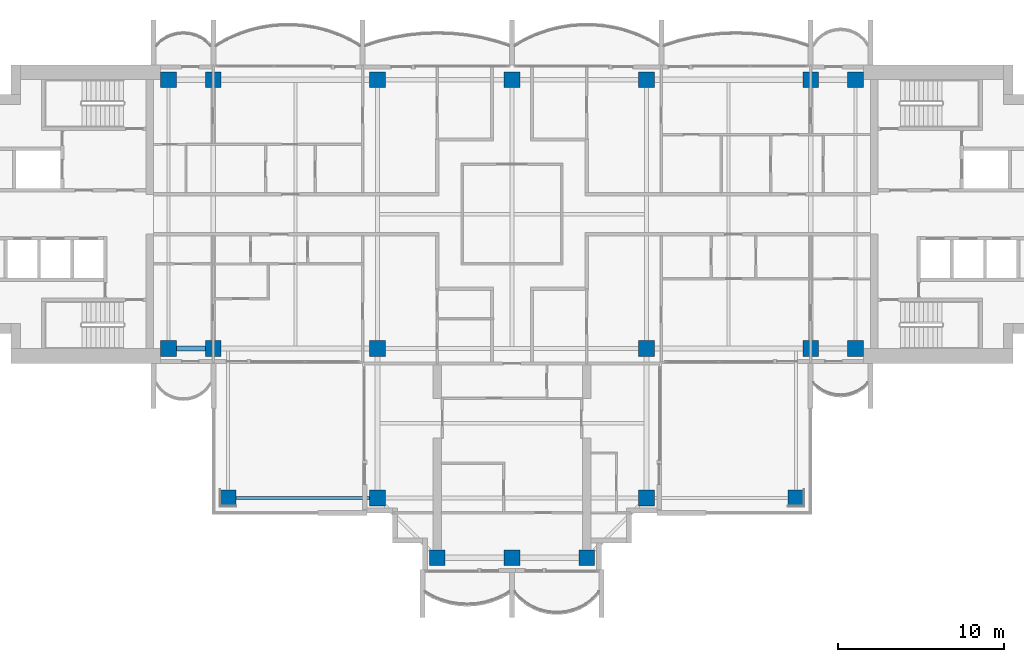
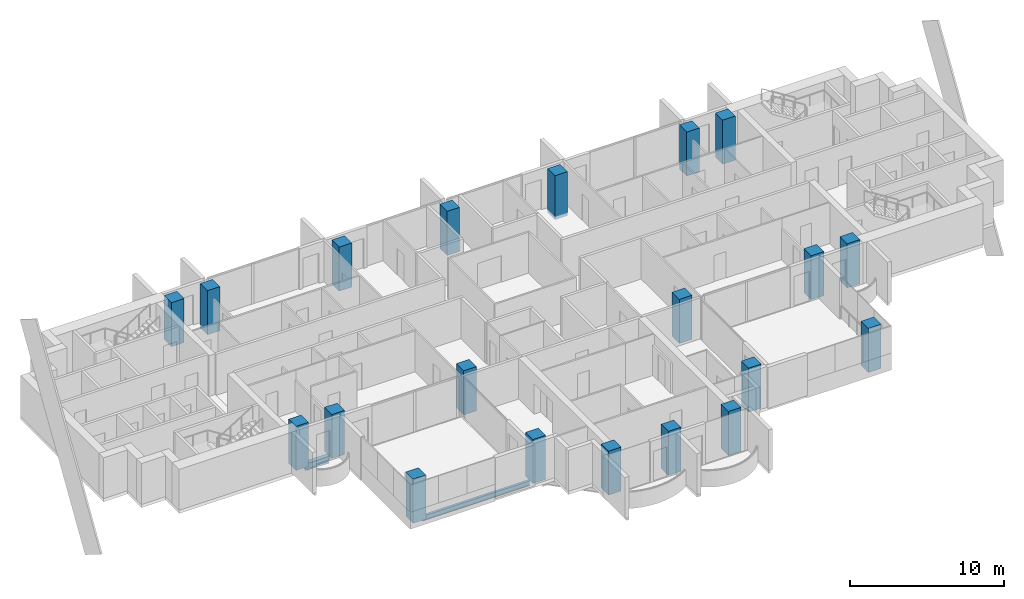
# One storey, part 1 of 17: 20 columns, 2 beams.
"""IFC4 building model written with IfcOpenShell, lengths in metres."""

from ifc_helpers import new_model, si_unit, direction, frame, origin, origin_2d, place, context, subcontext, project, spatial, rectangle, i_section, extrude, material, material_profile, profile_set, type_object, element, save


model = new_model("IFC4")

# Units and contexts
model_context = context("Model", 3, precision=1e-05, world=origin(), true_north=direction((0.0, 1.0)))
body_context = subcontext(model_context, "Body", "Model", "MODEL_VIEW")
ifc_project = project(units=[si_unit("LENGTHUNIT", "METRE"), si_unit("AREAUNIT", "SQUARE_METRE"), si_unit("VOLUMEUNIT", "CUBIC_METRE"), si_unit("PLANEANGLEUNIT", "RADIAN"), si_unit("MASSUNIT", "GRAM", prefix="KILO")], contexts=[model_context])

# Site, building, storey
site_placement = place(None, origin())
site = spatial("IfcSite", under=ifc_project, at=site_placement, CompositionType="ELEMENT")
building_placement = place(site_placement, origin())
building = spatial("IfcBuilding", under=site, at=building_placement, Name="Perihelion Cross Residences", CompositionType="ELEMENT")
storey_placement = place(building_placement, frame((0.0, 0.0, 205.10009765625)))
storey = spatial("IfcBuildingStorey", under=building, at=storey_placement, Name="L51", CompositionType="ELEMENT", Elevation=205.10009765625)

# Columns
ifc_material_1 = material(Name="Concrete C60/75", Category="concrete")
ifc_material_profile_1 = material_profile(ifc_material_1, rectangle(XDim=0.949951171875, YDim=0.949951171875, at=origin_2d()), Name="RC 950x950")
ifc_profile_set_1 = profile_set([ifc_material_profile_1], Name="Concrete C60/75")
column_type = type_object("IfcColumnType", Name="Reinforced concrete column 950x950 C60/75", PredefinedType="COLUMN", material=ifc_profile_set_1)
for number, where, z_axis, x_axis, name in (
    (1, (-20.699951171875, -8.10009765625, -0.25), (0.0, 0.0, 1.0), (1.0, 0.0, 0.0), "Column C017 L51 no. 1"),
    (2, (-20.699951171875, 8.10009765625, -0.25), (0.0, 0.0, 1.0), (1.0, 0.0, 0.0), "Column C010 L51 no. 1"),
    (3, (-18.0, -8.10009765625, -0.25), (0.0, 0.0, 1.0), (1.0, 0.0, 0.0), "Column C018 L51 no. 1"),
    (4, (-18.0, 8.10009765625, -0.25), (0.0, 0.0, 1.0), (1.0, 0.0, 0.0), "Column C011 L51 no. 1"),
    (5, (-8.10009765625, -17.10009765625, -0.25), (0.0, 0.0, 1.0), (1.0, 0.0, 0.0), "Column C031 L51 no. 1"),
    (6, (-8.10009765625, -8.10009765625, -0.25), (0.0, 0.0, 1.0), (1.0, 0.0, 0.0), "Column C019 L51 no. 1"),
    (7, (-8.10009765625, 8.10009765625, -0.25), (0.0, 0.0, 1.0), (1.0, 0.0, 0.0), "Column C012 L51 no. 1"),
    (8, (-4.5, -20.699951171875, -0.25), (0.0, 0.0, 1.0), (1.0, 0.0, 0.0), "Column C037 L51 no. 1"),
    (9, (0.0, -20.699951171875, -0.25), (0.0, 0.0, 1.0), (1.0, 0.0, 0.0), "Column C038 L51 no. 1"),
    (10, (0.0, 8.10009765625, -0.25), (0.0, 0.0, 1.0), (1.0, 0.0, 0.0), "Column C013 L51 no. 1"),
    (11, (4.5, -20.699951171875, -0.25), (0.0, 0.0, 1.0), (1.0, 0.0, 0.0), "Column C039 L51 no. 1"),
    (12, (8.10009765625, -17.10009765625, -0.25), (0.0, 0.0, 1.0), (1.0, 0.0, 0.0), "Column C035 L51 no. 1"),
    (13, (8.10009765625, -8.10009765625, -0.25), (0.0, 0.0, 1.0), (1.0, 0.0, 0.0), "Column C020 L51 no. 1"),
    (14, (8.10009765625, 8.10009765625, -0.25), (0.0, 0.0, 1.0), (1.0, 0.0, 0.0), "Column C014 L51 no. 1"),
    (15, (18.0, -8.10009765625, -0.25), (0.0, 0.0, 1.0), (1.0, 0.0, 0.0), "Column C021 L51 no. 1"),
    (16, (18.0, 8.10009765625, -0.25), (0.0, 0.0, 1.0), (1.0, 0.0, 0.0), "Column C015 L51 no. 1"),
    (17, (20.699951171875, -8.10009765625, -0.25), (0.0, 0.0, 1.0), (1.0, 0.0, 0.0), "Column C022 L51 no. 1"),
    (18, (20.699951171875, 8.10009765625, -0.25), (0.0, 0.0, 1.0), (1.0, 0.0, 0.0), "Column C016 L51 no. 1"),
    (19, (-17.10009765625, -17.10009765625, -0.25), (0.0, 0.0, 1.0), (1.0, 0.0, 0.0), "Column C030 L51 no. 1"),
    (20, (17.10009765625, -17.10009765625, -0.25), (0.0, 0.0, 1.0), (1.0, 0.0, 0.0), "Column C036 L51 no. 1"),
):
    element("IfcColumn", number, at=place(storey_placement, frame(where, z_axis=z_axis, x_axis=x_axis)), inside=storey, type_object=column_type, Name=name, PredefinedType="COLUMN", context=body_context, shape_type="SweptSolid", body=[
        extrude(rectangle(XDim=0.949951171875, YDim=0.949951171875, at=origin_2d()), origin(), (0.0, 0.0, 1.0), 3.5),
    ])

# Beams
ifc_material_2 = material(Name="Steel S355", Category="steel")
ifc_material_profile_2 = material_profile(ifc_material_2, i_section(OverallWidth=0.177978515625, OverallDepth=0.406005859375, WebThickness=0.0078125, FlangeThickness=0.0126953125, at=origin_2d()), Name="W410x60")
ifc_profile_set_2 = profile_set([ifc_material_profile_2], Name="Steel S355")
beam_type_1 = type_object("IfcBeamType", Name="Core edge beam W410x60", PredefinedType="BEAM", material=ifc_profile_set_2)
beam_1_placement = place(storey_placement, frame((-8.574951171875, -17.10009765625, -0.453125), z_axis=(-1.0, 0.0, 0.0), x_axis=(0.0, -1.0, 0.0)))
element("IfcBeam", 21, at=beam_1_placement, inside=storey, type_object=beam_type_1, Name="Core edge beam TB2 L51 corner no. 2", PredefinedType="BEAM", context=body_context, shape_type="SweptSolid", body=[
    extrude(i_section(OverallWidth=0.177978515625, OverallDepth=0.406005859375, WebThickness=0.0078125, FlangeThickness=0.0126953125, at=origin_2d()), origin(), (0.0, 0.0, 1.0), 8.050048828125),
])
ifc_material_3 = material(Name="Steel S355", Category="steel")
ifc_material_profile_3 = material_profile(ifc_material_3, i_section(OverallWidth=0.31201171875, OverallDepth=0.5439453125, WebThickness=0.0126953125, FlangeThickness=0.020263671875, at=origin_2d()), Name="W530x150")
ifc_profile_set_3 = profile_set([ifc_material_profile_3], Name="Steel S355")
beam_type_2 = type_object("IfcBeamType", Name="Edge beam W530x150", PredefinedType="SPANDREL", material=ifc_profile_set_3)
beam_2_placement = place(storey_placement, frame((-20.22509765625, -8.10009765625, -0.522216796875), z_axis=(1.0, 0.0, 0.0), x_axis=(0.0, 1.0, 0.0)))
element("IfcBeam", 22, at=beam_2_placement, inside=storey, type_object=beam_type_2, Name="Edge beam SB4 L51 no. 3", PredefinedType="SPANDREL", context=body_context, shape_type="SweptSolid", body=[
    extrude(i_section(OverallWidth=0.31201171875, OverallDepth=0.5439453125, WebThickness=0.0126953125, FlangeThickness=0.020263671875, at=origin_2d()), origin(), (0.0, 0.0, 1.0), 1.75),
])

save(model, "model.ifc")
